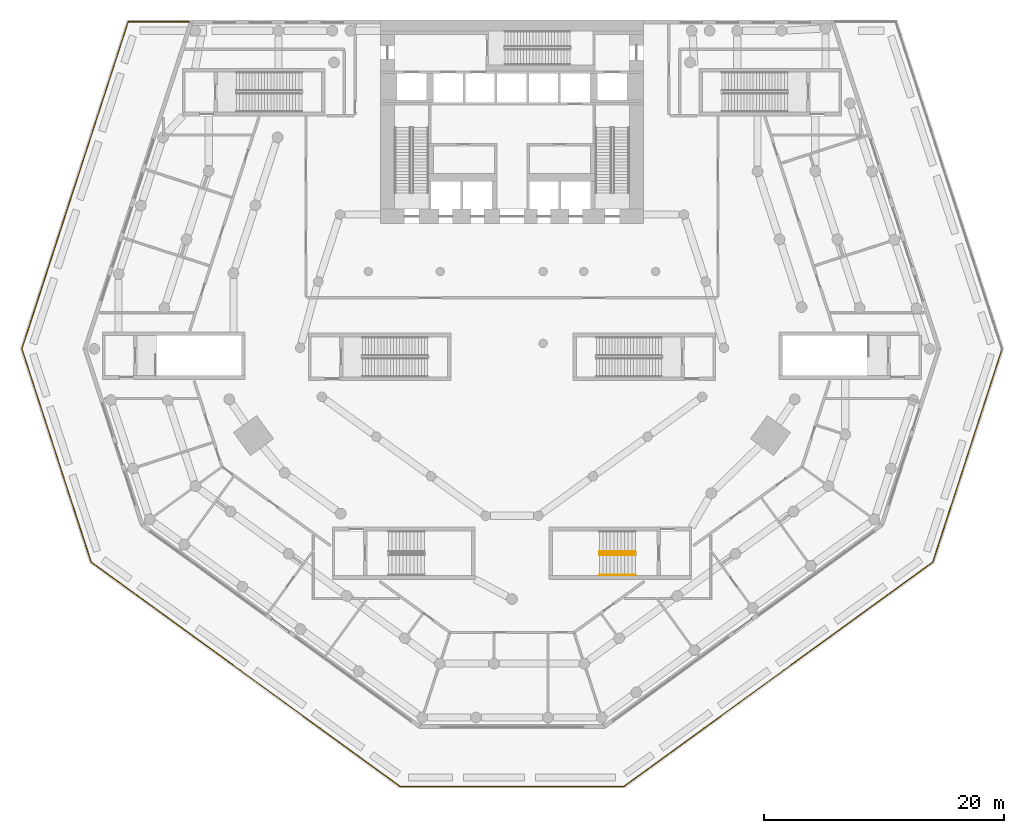
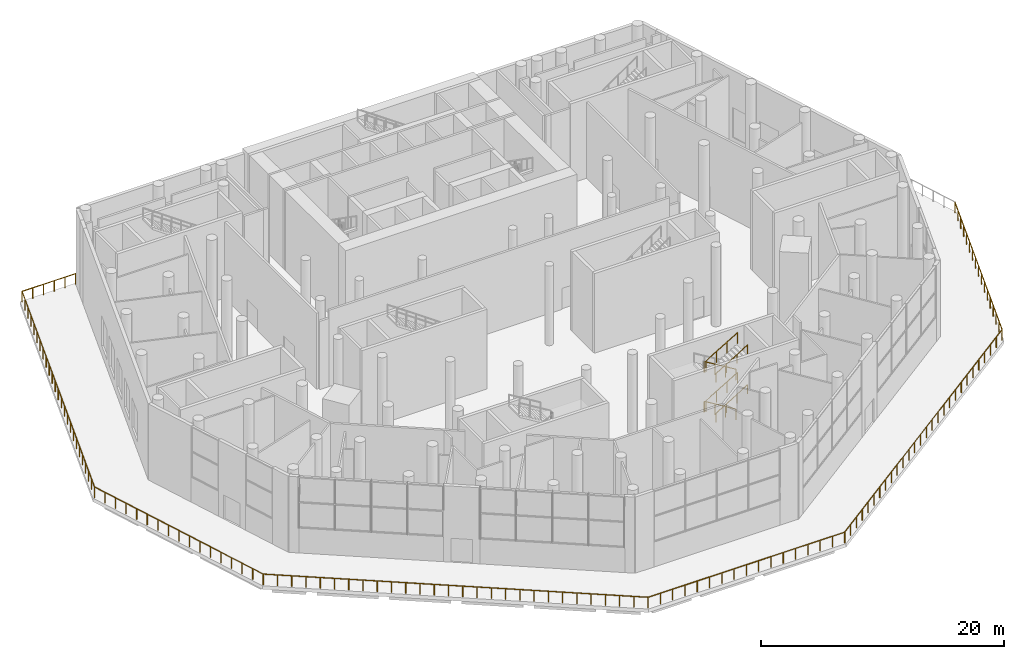
# One storey, part 19 of 23: 7 railings.
"""IFC4 building model written with IfcOpenShell, lengths in metres."""

from ifc_helpers import new_model, si_unit, direction, frame, origin, origin_2d, place, context, subcontext, project, spatial, circle, extrude, material, type_object, element, save


model = new_model("IFC4")

# Units and contexts
model_context = context("Model", 3, precision=1e-05, world=origin(), true_north=direction((0.0, 1.0)))
body_context = subcontext(model_context, "Body", "Model", "MODEL_VIEW")
ifc_project = project(units=[si_unit("LENGTHUNIT", "METRE"), si_unit("AREAUNIT", "SQUARE_METRE"), si_unit("VOLUMEUNIT", "CUBIC_METRE"), si_unit("PLANEANGLEUNIT", "RADIAN"), si_unit("MASSUNIT", "GRAM", prefix="KILO")], contexts=[model_context])

# Site, building, storey
site_placement = place(None, origin())
site = spatial("IfcSite", under=ifc_project, at=site_placement, CompositionType="ELEMENT")
building_placement = place(site_placement, origin())
building = spatial("IfcBuilding", under=site, at=building_placement, Name="White Candle Pilgrim Tower", CompositionType="ELEMENT")
storey_placement = place(building_placement, frame((0.0, 0.0, 15.0)))
storey = spatial("IfcBuildingStorey", under=building, at=storey_placement, Name="L02", CompositionType="ELEMENT", Elevation=15.0)

# Railings
ifc_material_1 = material(Name="Steel S355 painted", Category="steel")
railing_type_1 = type_object("IfcRailingType", Name="Guard GD1 1100", PredefinedType="GUARDRAIL", material=ifc_material_1)
railing_1_placement = place(storey_placement, frame((110.92236328125, 60.539306640625, 0.0)))
element("IfcRailing", 1, at=railing_1_placement, inside=storey, type_object=railing_type_1, Name="Terrace guard L02", PredefinedType="GUARDRAIL", context=body_context, shape_type="SweptSolid", body=[
    extrude(circle(Radius=0.02490234375, at=origin_2d()), frame((0.0, 0.0, 1.0751953125), z_axis=(-0.309015253813, -0.951057081836, 0.0), x_axis=(0.951057081836, -0.309015253813, 0.0)), (0.0, 0.0, 1.0), 18.708740234375),
    extrude(circle(Radius=0.02490234375, at=origin_2d()), frame((-5.78125, -17.79296875, 1.0751953125), z_axis=(-0.809015542684, -0.587787250368, 0.0), x_axis=(0.587787250368, -0.809015542684, 0.0)), (0.0, 0.0, 1.0), 31.874267578125),
    extrude(circle(Radius=0.02490234375, at=origin_2d()), frame((-31.568115234375, -36.5283203125, 1.0751953125), z_axis=(-1.0, 0.0, 0.0), x_axis=(0.0, -1.0, 0.0)), (0.0, 0.0, 1.0), 18.70849609375),
    extrude(circle(Radius=0.02490234375, at=origin_2d()), frame((-50.276611328125, -36.5283203125, 1.0751953125), z_axis=(-0.809015542684, 0.587787250368, 0.0), x_axis=(-0.587787250368, -0.809015542684, 0.0)), (0.0, 0.0, 1.0), 31.874267578125),
    extrude(circle(Radius=0.02490234375, at=origin_2d()), frame((-76.0634765625, -17.79296875, 1.0751953125), z_axis=(-0.309015253813, 0.951057081836, 0.0), x_axis=(-0.951057081836, -0.309015253813, 0.0)), (0.0, 0.0, 1.0), 18.708740234375),
    extrude(circle(Radius=0.02490234375, at=origin_2d()), frame((-81.8447265625, 0.0, 1.0751953125), z_axis=(0.309015903789, 0.951056870647, 0.0), x_axis=(-0.951056870647, 0.309015903789, 0.0)), (0.0, 0.0, 1.0), 28.71630859375),
    extrude(circle(Radius=0.02490234375, at=origin_2d()), frame((-72.970947265625, 27.310791015625, 1.0751953125), z_axis=(1.0, 0.0, 0.0), x_axis=(0.0, 1.0, 0.0)), (0.0, 0.0, 1.0), 5.099609375),
    extrude(circle(Radius=0.02490234375, at=origin_2d()), origin(), (0.0, 0.0, 1.0), 1.050048828125),
    extrude(circle(Radius=0.02490234375, at=origin_2d()), frame((-0.361328125, -1.112060546875, 0.0)), (0.0, 0.0, 1.0), 1.050048828125),
    extrude(circle(Radius=0.02490234375, at=origin_2d()), frame((-0.72265625, -2.22412109375, 0.0)), (0.0, 0.0, 1.0), 1.050048828125),
    extrude(circle(Radius=0.02490234375, at=origin_2d()), frame((-1.083984375, -3.336181640625, 0.0)), (0.0, 0.0, 1.0), 1.050048828125),
    extrude(circle(Radius=0.02490234375, at=origin_2d()), frame((-1.4453125, -4.4482421875, 0.0)), (0.0, 0.0, 1.0), 1.050048828125),
    extrude(circle(Radius=0.02490234375, at=origin_2d()), frame((-1.806640625, -5.560302734375, 0.0)), (0.0, 0.0, 1.0), 1.050048828125),
    extrude(circle(Radius=0.02490234375, at=origin_2d()), frame((-2.16796875, -6.67236328125, 0.0)), (0.0, 0.0, 1.0), 1.050048828125),
    extrude(circle(Radius=0.02490234375, at=origin_2d()), frame((-2.529296875, -7.784423828125, 0.0)), (0.0, 0.0, 1.0), 1.050048828125),
    extrude(circle(Radius=0.02490234375, at=origin_2d()), frame((-2.890625, -8.896484375, 0.0)), (0.0, 0.0, 1.0), 1.050048828125),
    extrude(circle(Radius=0.02490234375, at=origin_2d()), frame((-3.251953125, -10.008544921875, 0.0)), (0.0, 0.0, 1.0), 1.050048828125),
    extrude(circle(Radius=0.02490234375, at=origin_2d()), frame((-3.61328125, -11.12060546875, 0.0)), (0.0, 0.0, 1.0), 1.050048828125),
    extrude(circle(Radius=0.02490234375, at=origin_2d()), frame((-3.974609375, -12.232666015625, 0.0)), (0.0, 0.0, 1.0), 1.050048828125),
    extrude(circle(Radius=0.02490234375, at=origin_2d()), frame((-4.3359375, -13.3447265625, 0.0)), (0.0, 0.0, 1.0), 1.050048828125),
    extrude(circle(Radius=0.02490234375, at=origin_2d()), frame((-4.697265625, -14.456787109375, 0.0)), (0.0, 0.0, 1.0), 1.050048828125),
    extrude(circle(Radius=0.02490234375, at=origin_2d()), frame((-5.05859375, -15.56884765625, 0.0)), (0.0, 0.0, 1.0), 1.050048828125),
    extrude(circle(Radius=0.02490234375, at=origin_2d()), frame((-5.419921875, -16.680908203125, 0.0)), (0.0, 0.0, 1.0), 1.050048828125),
    extrude(circle(Radius=0.02490234375, at=origin_2d()), frame((-5.78125, -17.79296875, 0.0)), (0.0, 0.0, 1.0), 1.050048828125),
    extrude(circle(Radius=0.02490234375, at=origin_2d()), frame((-6.736328125, -18.48681640625, 0.0)), (0.0, 0.0, 1.0), 1.050048828125),
    extrude(circle(Radius=0.02490234375, at=origin_2d()), frame((-7.69140625, -19.1806640625, 0.0)), (0.0, 0.0, 1.0), 1.050048828125),
    extrude(circle(Radius=0.02490234375, at=origin_2d()), frame((-8.646484375, -19.874755859375, 0.0)), (0.0, 0.0, 1.0), 1.050048828125),
    extrude(circle(Radius=0.02490234375, at=origin_2d()), frame((-9.6015625, -20.568603515625, 0.0)), (0.0, 0.0, 1.0), 1.050048828125),
    extrude(circle(Radius=0.02490234375, at=origin_2d()), frame((-10.556640625, -21.262451171875, 0.0)), (0.0, 0.0, 1.0), 1.050048828125),
    extrude(circle(Radius=0.02490234375, at=origin_2d()), frame((-11.51171875, -21.956298828125, 0.0)), (0.0, 0.0, 1.0), 1.050048828125),
    extrude(circle(Radius=0.02490234375, at=origin_2d()), frame((-12.466796875, -22.650390625, 0.0)), (0.0, 0.0, 1.0), 1.050048828125),
    extrude(circle(Radius=0.02490234375, at=origin_2d()), frame((-13.421875, -23.34423828125, 0.0)), (0.0, 0.0, 1.0), 1.050048828125),
    extrude(circle(Radius=0.02490234375, at=origin_2d()), frame((-14.376953125, -24.0380859375, 0.0)), (0.0, 0.0, 1.0), 1.050048828125),
    extrude(circle(Radius=0.02490234375, at=origin_2d()), frame((-15.33203125, -24.73193359375, 0.0)), (0.0, 0.0, 1.0), 1.050048828125),
    extrude(circle(Radius=0.02490234375, at=origin_2d()), frame((-16.287109375, -25.42578125, 0.0)), (0.0, 0.0, 1.0), 1.050048828125),
    extrude(circle(Radius=0.02490234375, at=origin_2d()), frame((-17.2421875, -26.119873046875, 0.0)), (0.0, 0.0, 1.0), 1.050048828125),
    extrude(circle(Radius=0.02490234375, at=origin_2d()), frame((-18.197265625, -26.813720703125, 0.0)), (0.0, 0.0, 1.0), 1.050048828125),
    extrude(circle(Radius=0.02490234375, at=origin_2d()), frame((-19.152099609375, -27.507568359375, 0.0)), (0.0, 0.0, 1.0), 1.050048828125),
    extrude(circle(Radius=0.02490234375, at=origin_2d()), frame((-20.107177734375, -28.201416015625, 0.0)), (0.0, 0.0, 1.0), 1.050048828125),
    extrude(circle(Radius=0.02490234375, at=origin_2d()), frame((-21.062255859375, -28.8955078125, 0.0)), (0.0, 0.0, 1.0), 1.050048828125),
    extrude(circle(Radius=0.02490234375, at=origin_2d()), frame((-22.017333984375, -29.58935546875, 0.0)), (0.0, 0.0, 1.0), 1.050048828125),
    extrude(circle(Radius=0.02490234375, at=origin_2d()), frame((-22.972412109375, -30.283203125, 0.0)), (0.0, 0.0, 1.0), 1.050048828125),
    extrude(circle(Radius=0.02490234375, at=origin_2d()), frame((-23.927490234375, -30.97705078125, 0.0)), (0.0, 0.0, 1.0), 1.050048828125),
    extrude(circle(Radius=0.02490234375, at=origin_2d()), frame((-24.882568359375, -31.6708984375, 0.0)), (0.0, 0.0, 1.0), 1.050048828125),
    extrude(circle(Radius=0.02490234375, at=origin_2d()), frame((-25.837646484375, -32.364990234375, 0.0)), (0.0, 0.0, 1.0), 1.050048828125),
    extrude(circle(Radius=0.02490234375, at=origin_2d()), frame((-26.792724609375, -33.058837890625, 0.0)), (0.0, 0.0, 1.0), 1.050048828125),
    extrude(circle(Radius=0.02490234375, at=origin_2d()), frame((-27.747802734375, -33.752685546875, 0.0)), (0.0, 0.0, 1.0), 1.050048828125),
    extrude(circle(Radius=0.02490234375, at=origin_2d()), frame((-28.702880859375, -34.446533203125, 0.0)), (0.0, 0.0, 1.0), 1.050048828125),
    extrude(circle(Radius=0.02490234375, at=origin_2d()), frame((-29.657958984375, -35.140625, 0.0)), (0.0, 0.0, 1.0), 1.050048828125),
    extrude(circle(Radius=0.02490234375, at=origin_2d()), frame((-30.613037109375, -35.83447265625, 0.0)), (0.0, 0.0, 1.0), 1.050048828125),
    extrude(circle(Radius=0.02490234375, at=origin_2d()), frame((-31.568115234375, -36.5283203125, 0.0)), (0.0, 0.0, 1.0), 1.050048828125),
    extrude(circle(Radius=0.02490234375, at=origin_2d()), frame((-32.7373046875, -36.5283203125, 0.0)), (0.0, 0.0, 1.0), 1.050048828125),
    extrude(circle(Radius=0.02490234375, at=origin_2d()), frame((-33.90673828125, -36.5283203125, 0.0)), (0.0, 0.0, 1.0), 1.050048828125),
    extrude(circle(Radius=0.02490234375, at=origin_2d()), frame((-35.075927734375, -36.5283203125, 0.0)), (0.0, 0.0, 1.0), 1.050048828125),
    extrude(circle(Radius=0.02490234375, at=origin_2d()), frame((-36.2451171875, -36.5283203125, 0.0)), (0.0, 0.0, 1.0), 1.050048828125),
    extrude(circle(Radius=0.02490234375, at=origin_2d()), frame((-37.41455078125, -36.5283203125, 0.0)), (0.0, 0.0, 1.0), 1.050048828125),
    extrude(circle(Radius=0.02490234375, at=origin_2d()), frame((-38.583740234375, -36.5283203125, 0.0)), (0.0, 0.0, 1.0), 1.050048828125),
    extrude(circle(Radius=0.02490234375, at=origin_2d()), frame((-39.753173828125, -36.5283203125, 0.0)), (0.0, 0.0, 1.0), 1.050048828125),
    extrude(circle(Radius=0.02490234375, at=origin_2d()), frame((-40.92236328125, -36.5283203125, 0.0)), (0.0, 0.0, 1.0), 1.050048828125),
    extrude(circle(Radius=0.02490234375, at=origin_2d()), frame((-42.091552734375, -36.5283203125, 0.0)), (0.0, 0.0, 1.0), 1.050048828125),
    extrude(circle(Radius=0.02490234375, at=origin_2d()), frame((-43.260986328125, -36.5283203125, 0.0)), (0.0, 0.0, 1.0), 1.050048828125),
    extrude(circle(Radius=0.02490234375, at=origin_2d()), frame((-44.43017578125, -36.5283203125, 0.0)), (0.0, 0.0, 1.0), 1.050048828125),
    extrude(circle(Radius=0.02490234375, at=origin_2d()), frame((-45.599609375, -36.5283203125, 0.0)), (0.0, 0.0, 1.0), 1.050048828125),
    extrude(circle(Radius=0.02490234375, at=origin_2d()), frame((-46.768798828125, -36.5283203125, 0.0)), (0.0, 0.0, 1.0), 1.050048828125),
    extrude(circle(Radius=0.02490234375, at=origin_2d()), frame((-47.93798828125, -36.5283203125, 0.0)), (0.0, 0.0, 1.0), 1.050048828125),
    extrude(circle(Radius=0.02490234375, at=origin_2d()), frame((-49.107421875, -36.5283203125, 0.0)), (0.0, 0.0, 1.0), 1.050048828125),
    extrude(circle(Radius=0.02490234375, at=origin_2d()), frame((-50.276611328125, -36.5283203125, 0.0)), (0.0, 0.0, 1.0), 1.050048828125),
    extrude(circle(Radius=0.02490234375, at=origin_2d()), frame((-51.231689453125, -35.83447265625, 0.0)), (0.0, 0.0, 1.0), 1.050048828125),
    extrude(circle(Radius=0.02490234375, at=origin_2d()), frame((-52.186767578125, -35.140625, 0.0)), (0.0, 0.0, 1.0), 1.050048828125),
    extrude(circle(Radius=0.02490234375, at=origin_2d()), frame((-53.141845703125, -34.446533203125, 0.0)), (0.0, 0.0, 1.0), 1.050048828125),
    extrude(circle(Radius=0.02490234375, at=origin_2d()), frame((-54.096923828125, -33.752685546875, 0.0)), (0.0, 0.0, 1.0), 1.050048828125),
    extrude(circle(Radius=0.02490234375, at=origin_2d()), frame((-55.052001953125, -33.058837890625, 0.0)), (0.0, 0.0, 1.0), 1.050048828125),
    extrude(circle(Radius=0.02490234375, at=origin_2d()), frame((-56.007080078125, -32.364990234375, 0.0)), (0.0, 0.0, 1.0), 1.050048828125),
    extrude(circle(Radius=0.02490234375, at=origin_2d()), frame((-56.962158203125, -31.6708984375, 0.0)), (0.0, 0.0, 1.0), 1.050048828125),
    extrude(circle(Radius=0.02490234375, at=origin_2d()), frame((-57.917236328125, -30.97705078125, 0.0)), (0.0, 0.0, 1.0), 1.050048828125),
    extrude(circle(Radius=0.02490234375, at=origin_2d()), frame((-58.872314453125, -30.283203125, 0.0)), (0.0, 0.0, 1.0), 1.050048828125),
    extrude(circle(Radius=0.02490234375, at=origin_2d()), frame((-59.827392578125, -29.58935546875, 0.0)), (0.0, 0.0, 1.0), 1.050048828125),
    extrude(circle(Radius=0.02490234375, at=origin_2d()), frame((-60.782470703125, -28.8955078125, 0.0)), (0.0, 0.0, 1.0), 1.050048828125),
    extrude(circle(Radius=0.02490234375, at=origin_2d()), frame((-61.737548828125, -28.201416015625, 0.0)), (0.0, 0.0, 1.0), 1.050048828125),
    extrude(circle(Radius=0.02490234375, at=origin_2d()), frame((-62.692626953125, -27.507568359375, 0.0)), (0.0, 0.0, 1.0), 1.050048828125),
    extrude(circle(Radius=0.02490234375, at=origin_2d()), frame((-63.6474609375, -26.813720703125, 0.0)), (0.0, 0.0, 1.0), 1.050048828125),
    extrude(circle(Radius=0.02490234375, at=origin_2d()), frame((-64.6025390625, -26.119873046875, 0.0)), (0.0, 0.0, 1.0), 1.050048828125),
    extrude(circle(Radius=0.02490234375, at=origin_2d()), frame((-65.5576171875, -25.42578125, 0.0)), (0.0, 0.0, 1.0), 1.050048828125),
    extrude(circle(Radius=0.02490234375, at=origin_2d()), frame((-66.5126953125, -24.73193359375, 0.0)), (0.0, 0.0, 1.0), 1.050048828125),
    extrude(circle(Radius=0.02490234375, at=origin_2d()), frame((-67.4677734375, -24.0380859375, 0.0)), (0.0, 0.0, 1.0), 1.050048828125),
    extrude(circle(Radius=0.02490234375, at=origin_2d()), frame((-68.4228515625, -23.34423828125, 0.0)), (0.0, 0.0, 1.0), 1.050048828125),
    extrude(circle(Radius=0.02490234375, at=origin_2d()), frame((-69.3779296875, -22.650390625, 0.0)), (0.0, 0.0, 1.0), 1.050048828125),
    extrude(circle(Radius=0.02490234375, at=origin_2d()), frame((-70.3330078125, -21.956298828125, 0.0)), (0.0, 0.0, 1.0), 1.050048828125),
    extrude(circle(Radius=0.02490234375, at=origin_2d()), frame((-71.2880859375, -21.262451171875, 0.0)), (0.0, 0.0, 1.0), 1.050048828125),
    extrude(circle(Radius=0.02490234375, at=origin_2d()), frame((-72.2431640625, -20.568603515625, 0.0)), (0.0, 0.0, 1.0), 1.050048828125),
    extrude(circle(Radius=0.02490234375, at=origin_2d()), frame((-73.1982421875, -19.874755859375, 0.0)), (0.0, 0.0, 1.0), 1.050048828125),
    extrude(circle(Radius=0.02490234375, at=origin_2d()), frame((-74.1533203125, -19.1806640625, 0.0)), (0.0, 0.0, 1.0), 1.050048828125),
    extrude(circle(Radius=0.02490234375, at=origin_2d()), frame((-75.1083984375, -18.48681640625, 0.0)), (0.0, 0.0, 1.0), 1.050048828125),
    extrude(circle(Radius=0.02490234375, at=origin_2d()), frame((-76.0634765625, -17.79296875, 0.0)), (0.0, 0.0, 1.0), 1.050048828125),
    extrude(circle(Radius=0.02490234375, at=origin_2d()), frame((-76.4248046875, -16.680908203125, 0.0)), (0.0, 0.0, 1.0), 1.050048828125),
    extrude(circle(Radius=0.02490234375, at=origin_2d()), frame((-76.7861328125, -15.56884765625, 0.0)), (0.0, 0.0, 1.0), 1.050048828125),
    extrude(circle(Radius=0.02490234375, at=origin_2d()), frame((-77.1474609375, -14.456787109375, 0.0)), (0.0, 0.0, 1.0), 1.050048828125),
    extrude(circle(Radius=0.02490234375, at=origin_2d()), frame((-77.5087890625, -13.3447265625, 0.0)), (0.0, 0.0, 1.0), 1.050048828125),
    extrude(circle(Radius=0.02490234375, at=origin_2d()), frame((-77.8701171875, -12.232666015625, 0.0)), (0.0, 0.0, 1.0), 1.050048828125),
    extrude(circle(Radius=0.02490234375, at=origin_2d()), frame((-78.2314453125, -11.12060546875, 0.0)), (0.0, 0.0, 1.0), 1.050048828125),
    extrude(circle(Radius=0.02490234375, at=origin_2d()), frame((-78.5927734375, -10.008544921875, 0.0)), (0.0, 0.0, 1.0), 1.050048828125),
    extrude(circle(Radius=0.02490234375, at=origin_2d()), frame((-78.9541015625, -8.896484375, 0.0)), (0.0, 0.0, 1.0), 1.050048828125),
    extrude(circle(Radius=0.02490234375, at=origin_2d()), frame((-79.3154296875, -7.784423828125, 0.0)), (0.0, 0.0, 1.0), 1.050048828125),
    extrude(circle(Radius=0.02490234375, at=origin_2d()), frame((-79.6767578125, -6.67236328125, 0.0)), (0.0, 0.0, 1.0), 1.050048828125),
    extrude(circle(Radius=0.02490234375, at=origin_2d()), frame((-80.0380859375, -5.560302734375, 0.0)), (0.0, 0.0, 1.0), 1.050048828125),
    extrude(circle(Radius=0.02490234375, at=origin_2d()), frame((-80.3994140625, -4.4482421875, 0.0)), (0.0, 0.0, 1.0), 1.050048828125),
    extrude(circle(Radius=0.02490234375, at=origin_2d()), frame((-80.7607421875, -3.336181640625, 0.0)), (0.0, 0.0, 1.0), 1.050048828125),
    extrude(circle(Radius=0.02490234375, at=origin_2d()), frame((-81.1220703125, -2.22412109375, 0.0)), (0.0, 0.0, 1.0), 1.050048828125),
    extrude(circle(Radius=0.02490234375, at=origin_2d()), frame((-81.4833984375, -1.112060546875, 0.0)), (0.0, 0.0, 1.0), 1.050048828125),
    extrude(circle(Radius=0.02490234375, at=origin_2d()), frame((-81.8447265625, 0.0, 0.0)), (0.0, 0.0, 1.0), 1.050048828125),
    extrude(circle(Radius=0.02490234375, at=origin_2d()), frame((-81.47509765625, 1.137939453125, 0.0)), (0.0, 0.0, 1.0), 1.050048828125),
    extrude(circle(Radius=0.02490234375, at=origin_2d()), frame((-81.105224609375, 2.27587890625, 0.0)), (0.0, 0.0, 1.0), 1.050048828125),
    extrude(circle(Radius=0.02490234375, at=origin_2d()), frame((-80.735595703125, 3.413818359375, 0.0)), (0.0, 0.0, 1.0), 1.050048828125),
    extrude(circle(Radius=0.02490234375, at=origin_2d()), frame((-80.36572265625, 4.5517578125, 0.0)), (0.0, 0.0, 1.0), 1.050048828125),
    extrude(circle(Radius=0.02490234375, at=origin_2d()), frame((-79.99609375, 5.689697265625, 0.0)), (0.0, 0.0, 1.0), 1.050048828125),
    extrude(circle(Radius=0.02490234375, at=origin_2d()), frame((-79.626220703125, 6.82763671875, 0.0)), (0.0, 0.0, 1.0), 1.050048828125),
    extrude(circle(Radius=0.02490234375, at=origin_2d()), frame((-79.256591796875, 7.965576171875, 0.0)), (0.0, 0.0, 1.0), 1.050048828125),
    extrude(circle(Radius=0.02490234375, at=origin_2d()), frame((-78.88671875, 9.103515625, 0.0)), (0.0, 0.0, 1.0), 1.050048828125),
    extrude(circle(Radius=0.02490234375, at=origin_2d()), frame((-78.51708984375, 10.241455078125, 0.0)), (0.0, 0.0, 1.0), 1.050048828125),
    extrude(circle(Radius=0.02490234375, at=origin_2d()), frame((-78.147216796875, 11.37939453125, 0.0)), (0.0, 0.0, 1.0), 1.050048828125),
    extrude(circle(Radius=0.02490234375, at=origin_2d()), frame((-77.777587890625, 12.517333984375, 0.0)), (0.0, 0.0, 1.0), 1.050048828125),
    extrude(circle(Radius=0.02490234375, at=origin_2d()), frame((-77.40771484375, 13.6552734375, 0.0)), (0.0, 0.0, 1.0), 1.050048828125),
    extrude(circle(Radius=0.02490234375, at=origin_2d()), frame((-77.0380859375, 14.79345703125, 0.0)), (0.0, 0.0, 1.0), 1.050048828125),
    extrude(circle(Radius=0.02490234375, at=origin_2d()), frame((-76.66845703125, 15.931396484375, 0.0)), (0.0, 0.0, 1.0), 1.050048828125),
    extrude(circle(Radius=0.02490234375, at=origin_2d()), frame((-76.298583984375, 17.0693359375, 0.0)), (0.0, 0.0, 1.0), 1.050048828125),
    extrude(circle(Radius=0.02490234375, at=origin_2d()), frame((-75.928955078125, 18.207275390625, 0.0)), (0.0, 0.0, 1.0), 1.050048828125),
    extrude(circle(Radius=0.02490234375, at=origin_2d()), frame((-75.55908203125, 19.34521484375, 0.0)), (0.0, 0.0, 1.0), 1.050048828125),
    extrude(circle(Radius=0.02490234375, at=origin_2d()), frame((-75.189453125, 20.483154296875, 0.0)), (0.0, 0.0, 1.0), 1.050048828125),
    extrude(circle(Radius=0.02490234375, at=origin_2d()), frame((-74.819580078125, 21.62109375, 0.0)), (0.0, 0.0, 1.0), 1.050048828125),
    extrude(circle(Radius=0.02490234375, at=origin_2d()), frame((-74.449951171875, 22.759033203125, 0.0)), (0.0, 0.0, 1.0), 1.050048828125),
    extrude(circle(Radius=0.02490234375, at=origin_2d()), frame((-74.080078125, 23.89697265625, 0.0)), (0.0, 0.0, 1.0), 1.050048828125),
    extrude(circle(Radius=0.02490234375, at=origin_2d()), frame((-73.71044921875, 25.034912109375, 0.0)), (0.0, 0.0, 1.0), 1.050048828125),
    extrude(circle(Radius=0.02490234375, at=origin_2d()), frame((-73.340576171875, 26.1728515625, 0.0)), (0.0, 0.0, 1.0), 1.050048828125),
    extrude(circle(Radius=0.02490234375, at=origin_2d()), frame((-72.970947265625, 27.310791015625, 0.0)), (0.0, 0.0, 1.0), 1.050048828125),
    extrude(circle(Radius=0.02490234375, at=origin_2d()), frame((-71.950927734375, 27.310791015625, 0.0)), (0.0, 0.0, 1.0), 1.050048828125),
    extrude(circle(Radius=0.02490234375, at=origin_2d()), frame((-70.93115234375, 27.310791015625, 0.0)), (0.0, 0.0, 1.0), 1.050048828125),
    extrude(circle(Radius=0.02490234375, at=origin_2d()), frame((-69.9111328125, 27.310791015625, 0.0)), (0.0, 0.0, 1.0), 1.050048828125),
    extrude(circle(Radius=0.02490234375, at=origin_2d()), frame((-68.891357421875, 27.310791015625, 0.0)), (0.0, 0.0, 1.0), 1.050048828125),
    extrude(circle(Radius=0.02490234375, at=origin_2d()), frame((-67.871337890625, 27.310791015625, 0.0)), (0.0, 0.0, 1.0), 1.050048828125),
])
ifc_material_2 = material(Name="Stainless steel", Category="steel")
railing_type_2 = type_object("IfcRailingType", Name="Stair guard stainless steel 1100 mm", PredefinedType="GUARDRAIL", material=ifc_material_2)
railing_2_placement = place(storey_placement, frame((80.300048828125, 43.60009765625, 0.181884765625)))
element("IfcRailing", 2, at=railing_2_placement, inside=storey, type_object=railing_type_2, Name="L02 ST7 stair guard 1", PredefinedType="GUARDRAIL", context=body_context, shape_type="SweptSolid", body=[
    extrude(circle(Radius=0.02392578125, at=origin_2d()), frame((0.0, 0.0, 1.076171875), z_axis=(-0.855206244763, 0.0, 0.518287834045), x_axis=(0.0, -1.0, 0.0)), (0.0, 0.0, 1.0), 3.5078125),
    extrude(circle(Radius=0.02099609375, at=origin_2d()), origin(), (0.0, 0.0, 1.0), 1.052001953125),
    extrude(circle(Radius=0.02099609375, at=origin_2d()), frame((-1.0, 0.0, 0.60595703125)), (0.0, 0.0, 1.0), 1.052001953125),
    extrude(circle(Radius=0.02099609375, at=origin_2d()), frame((-2.0, 0.0, 1.212158203125)), (0.0, 0.0, 1.0), 1.052001953125),
    extrude(circle(Radius=0.02099609375, at=origin_2d()), frame((-3.0, 0.0, 1.818115234375)), (0.0, 0.0, 1.0), 1.052001953125),
])
railing_3_placement = place(storey_placement, frame((77.300048828125, 43.35009765625, 2.181884765625)))
element("IfcRailing", 3, at=railing_3_placement, inside=storey, type_object=railing_type_2, Name="L02 ST7 stair guard 3", PredefinedType="GUARDRAIL", context=body_context, shape_type="SweptSolid", body=[
    extrude(circle(Radius=0.02392578125, at=origin_2d()), frame((0.0, 0.0, 1.076171875), z_axis=(0.855206244763, 0.0, 0.518287834045), x_axis=(0.0, 1.0, 0.0)), (0.0, 0.0, 1.0), 3.5078125),
    extrude(circle(Radius=0.02099609375, at=origin_2d()), origin(), (0.0, 0.0, 1.0), 1.052001953125),
    extrude(circle(Radius=0.02099609375, at=origin_2d()), frame((1.0, 0.0, 0.60595703125)), (0.0, 0.0, 1.0), 1.052001953125),
    extrude(circle(Radius=0.02099609375, at=origin_2d()), frame((2.0, 0.0, 1.212158203125)), (0.0, 0.0, 1.0), 1.052001953125),
    extrude(circle(Radius=0.02099609375, at=origin_2d()), frame((3.0, 0.0, 1.818115234375)), (0.0, 0.0, 1.0), 1.052001953125),
])
railing_4_placement = place(storey_placement, frame((80.300048828125, 43.60009765625, 4.181884765625)))
element("IfcRailing", 4, at=railing_4_placement, inside=storey, type_object=railing_type_2, Name="L02 ST7 stair guard 5", PredefinedType="GUARDRAIL", context=body_context, shape_type="SweptSolid", body=[
    extrude(circle(Radius=0.02392578125, at=origin_2d()), frame((0.0, 0.0, 1.076171875), z_axis=(-0.855206244763, 0.0, 0.518287834045), x_axis=(0.0, -1.0, 0.0)), (0.0, 0.0, 1.0), 3.5078125),
    extrude(circle(Radius=0.02099609375, at=origin_2d()), origin(), (0.0, 0.0, 1.0), 1.052001953125),
    extrude(circle(Radius=0.02099609375, at=origin_2d()), frame((-1.0, 0.0, 0.60595703125)), (0.0, 0.0, 1.0), 1.052001953125),
    extrude(circle(Radius=0.02099609375, at=origin_2d()), frame((-2.0, 0.0, 1.212158203125)), (0.0, 0.0, 1.0), 1.052001953125),
    extrude(circle(Radius=0.02099609375, at=origin_2d()), frame((-3.0, 0.0, 1.818115234375)), (0.0, 0.0, 1.0), 1.052001953125),
])
railing_5_placement = place(storey_placement, frame((77.300048828125, 43.35009765625, 6.181884765625)))
element("IfcRailing", 5, at=railing_5_placement, inside=storey, type_object=railing_type_2, Name="L02 ST7 stair guard 7", PredefinedType="GUARDRAIL", context=body_context, shape_type="SweptSolid", body=[
    extrude(circle(Radius=0.02392578125, at=origin_2d()), frame((0.0, 0.0, 1.076171875), z_axis=(0.855206244763, 0.0, 0.518287834045), x_axis=(0.0, 1.0, 0.0)), (0.0, 0.0, 1.0), 3.5078125),
    extrude(circle(Radius=0.02099609375, at=origin_2d()), origin(), (0.0, 0.0, 1.0), 1.052001953125),
    extrude(circle(Radius=0.02099609375, at=origin_2d()), frame((1.0, 0.0, 0.60595703125)), (0.0, 0.0, 1.0), 1.052001953125),
    extrude(circle(Radius=0.02099609375, at=origin_2d()), frame((2.0, 0.0, 1.212158203125)), (0.0, 0.0, 1.0), 1.052001953125),
    extrude(circle(Radius=0.02099609375, at=origin_2d()), frame((3.0, 0.0, 1.818115234375)), (0.0, 0.0, 1.0), 1.052001953125),
])
railing_type_3 = type_object("IfcRailingType", Name="Stair handrail stainless steel", PredefinedType="HANDRAIL", material=ifc_material_2)
for number, where, name in (
    (6, (77.300048828125, 41.64990234375, 2.181884765625), "L02 ST7 stair handrail 2"),
    (7, (77.300048828125, 41.64990234375, 6.181884765625), "L02 ST7 stair handrail 4"),
):
    element("IfcRailing", number, at=place(storey_placement, frame(where)), inside=storey, type_object=railing_type_3, Name=name, PredefinedType="HANDRAIL", context=body_context, shape_type="SweptSolid", body=[
        extrude(circle(Radius=0.02392578125, at=origin_2d()), frame((0.0, 0.0, 0.8759765625), z_axis=(0.855206244763, 0.0, 0.518287834045), x_axis=(0.0, 1.0, 0.0)), (0.0, 0.0, 1.0), 3.5078125),
        extrude(circle(Radius=0.02099609375, at=origin_2d()), origin(), (0.0, 0.0, 1.0), 0.851806640625),
        extrude(circle(Radius=0.02099609375, at=origin_2d()), frame((1.0, 0.0, 0.60595703125)), (0.0, 0.0, 1.0), 0.851806640625),
        extrude(circle(Radius=0.02099609375, at=origin_2d()), frame((2.0, 0.0, 1.212158203125)), (0.0, 0.0, 1.0), 0.851806640625),
        extrude(circle(Radius=0.02099609375, at=origin_2d()), frame((3.0, 0.0, 1.818115234375)), (0.0, 0.0, 1.0), 0.851806640625),
    ])

save(model, "model.ifc")
